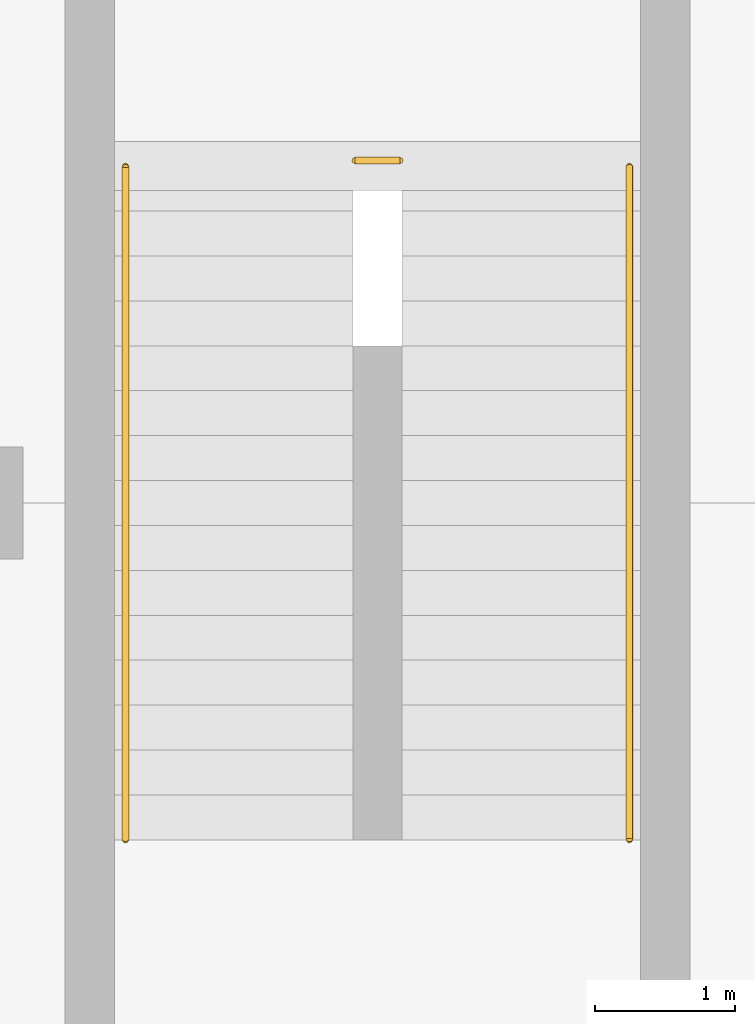
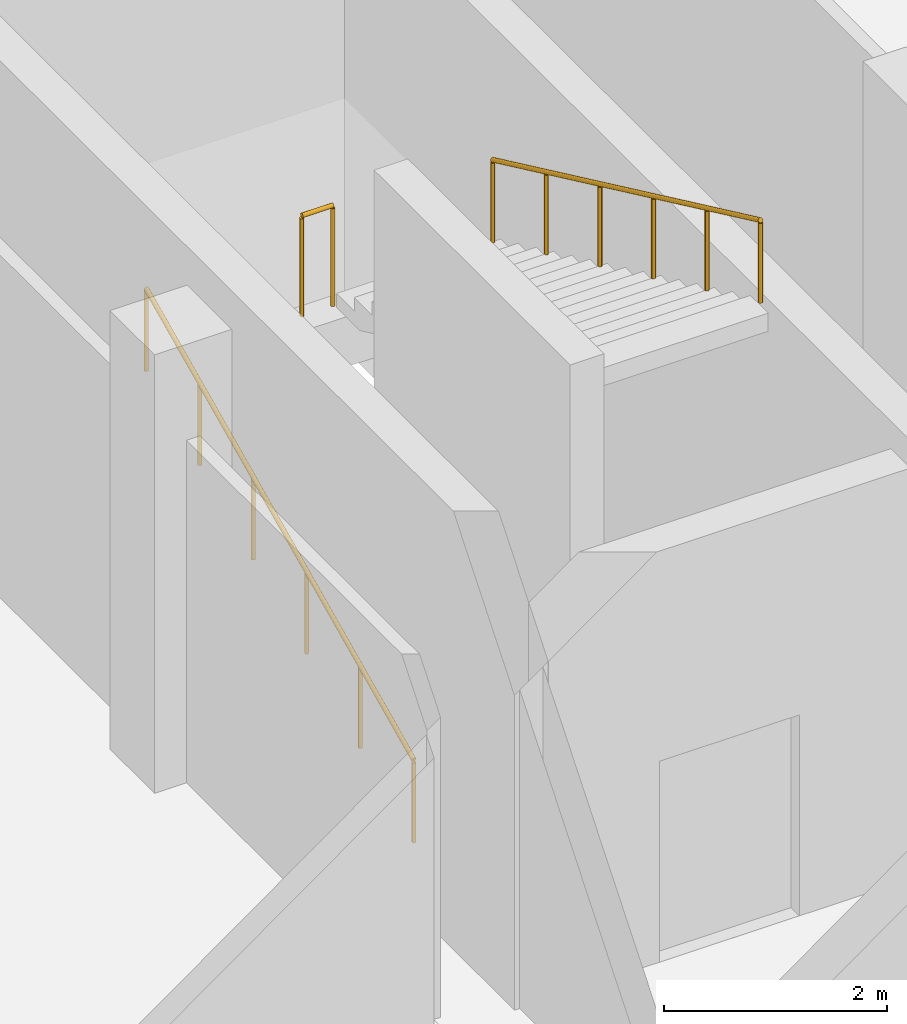
# One storey, part 56 of 62: 3 railings.
"""IFC4 building model written with IfcOpenShell, lengths in metres."""

import ifcopenshell
import ifcopenshell.guid

model = None  # the IFC model being written
_history = None  # IfcOwnerHistory: only IFC2X3 demands one
_inside = {}  # id of a spatial element -> (the spatial element, [elements in it])
_under = {}  # id of a project, library or spatial element -> (it, [spatial elements below it])
_declared = {}  # id of a project -> (the project, [libraries it declares])
_typed = {}  # id of a type object -> (the type object, [elements of that type])
_made_of = {}  # id of a material, layer set ... -> (it, [elements and type objects made of it])


def new_model(schema):
    """Start an empty IFC model of exactly this schema.

    Asked for "IFC4X3", IfcOpenShell would pick the latest addendum, in which some entities
    have other attributes; the version numbers below select the first issue.
    IFC2X3 requires an IfcOwnerHistory on every rooted entity: one is made here for all.
    """
    global model, _history
    if schema == "IFC4X3":
        model = ifcopenshell.file(schema_version=(4, 3, 0, 0))
    else:
        model = ifcopenshell.file(schema=schema)
    _inside.clear()
    _under.clear()
    _declared.clear()
    _typed.clear()
    _made_of.clear()
    _history = None
    if model.schema == "IFC2X3":
        org = make("IfcOrganization", Name="unknown")
        user = make(
            "IfcPersonAndOrganization",
            ThePerson=make("IfcPerson", FamilyName="unknown"),
            TheOrganization=org,
        )
        app = make(
            "IfcApplication",
            ApplicationDeveloper=org,
            Version="unknown",
            ApplicationFullName="unknown",
            ApplicationIdentifier="unknown",
        )
        _history = make(
            "IfcOwnerHistory",
            OwningUser=user,
            OwningApplication=app,
            ChangeAction="ADDED",
            CreationDate=0,
        )
    return model


def make(cls, **values):
    """One entity of the class cls with the attributes given. An attribute that is None is left unset."""
    return model.create_entity(
        cls, **{name: value for name, value in values.items() if value is not None}
    )


def rooted(cls, **values):
    """An entity with a GlobalId (a new one), such as an element, a storey or a relation."""
    return make(cls, GlobalId=ifcopenshell.guid.new(), OwnerHistory=_history, **values)


def si_unit(unit_type, name, prefix=None):
    """IfcSIUnit, for example si_unit("LENGTHUNIT", "METRE", prefix="MILLI")."""
    return make("IfcSIUnit", UnitType=unit_type, Prefix=prefix, Name=name)


def assignment(units):
    """IfcUnitAssignment: the units of a project."""
    return None if units is None else make("IfcUnitAssignment", Units=units)


def point(xyz):
    """IfcCartesianPoint."""
    return None if xyz is None else make("IfcCartesianPoint", Coordinates=xyz)


def direction(xyz):
    """IfcDirection."""
    return None if xyz is None else make("IfcDirection", DirectionRatios=xyz)


def frame(location, z_axis=None, x_axis=None):
    """IfcAxis2Placement3D, a coordinate frame: its origin and axes. An axis left out is left unset."""
    return make(
        "IfcAxis2Placement3D",
        Location=point(location),
        Axis=direction(z_axis),
        RefDirection=direction(x_axis),
    )


def frame_2d(location, x_axis=None):
    """IfcAxis2Placement2D, a coordinate frame in the plane: its origin and x axis."""
    return make(
        "IfcAxis2Placement2D", Location=point(location), RefDirection=direction(x_axis)
    )


def origin():
    """The frame at (0, 0, 0) with its axes left unset."""
    return frame((0.0, 0.0, 0.0))


def origin_2d():
    """The frame at (0, 0) in the plane with its x axis left unset."""
    return frame_2d((0.0, 0.0))


def place(relative_to, where):
    """IfcLocalPlacement: puts the frame where relative to a parent placement (None: the world)."""
    return make(
        "IfcLocalPlacement", PlacementRelTo=relative_to, RelativePlacement=where
    )


def context(
    kind, dimensions, precision=None, world=None, true_north=None, identifier=None
):
    """IfcGeometricRepresentationContext, for example the 3D "Model" context."""
    return make(
        "IfcGeometricRepresentationContext",
        ContextIdentifier=identifier,
        ContextType=kind,
        CoordinateSpaceDimension=dimensions,
        Precision=precision,
        WorldCoordinateSystem=world,
        TrueNorth=true_north,
    )


def subcontext(parent, identifier, kind, view, scale=None):
    """IfcGeometricRepresentationSubContext, for example "Body" below "Model"."""
    return make(
        "IfcGeometricRepresentationSubContext",
        ContextIdentifier=identifier,
        ContextType=kind,
        ParentContext=parent,
        TargetScale=scale,
        TargetView=view,
    )


def project(units=None, contexts=None):
    """IfcProject with its units and contexts."""
    return rooted(
        "IfcProject",
        Name="project",
        RepresentationContexts=contexts,
        UnitsInContext=assignment(units),
    )


def spatial(cls, under=None, at=None, **own):
    """A site, building, storey or space (cls), placed at a placement, below another one or the project."""
    s = rooted(cls, ObjectPlacement=at, **own)
    if under is not None:
        _under.setdefault(under.id(), (under, []))[1].append(s)
    return s


def profile(cls, at=None, kind="AREA", **sizes):
    """A parametric profile (cls). Its sizes go by their IFC names, for example OverallWidth=200.0."""
    return make(cls, ProfileType=kind, Position=at, **sizes)


def circle(**sizes):
    """IfcCircleProfileDef."""
    return profile("IfcCircleProfileDef", **sizes)


def extrude(swept, where, along, depth):
    """IfcExtrudedAreaSolid: the profile swept, set in the frame where, extruded along a direction by depth."""
    return make(
        "IfcExtrudedAreaSolid",
        SweptArea=swept,
        Position=where,
        ExtrudedDirection=direction(along),
        Depth=depth,
    )


def shape(context_of_items, identifier, shape_type, items):
    """IfcShapeRepresentation: the items that make up one representation, for example the "Body"."""
    return make(
        "IfcShapeRepresentation",
        ContextOfItems=context_of_items,
        RepresentationIdentifier=identifier,
        RepresentationType=shape_type,
        Items=items,
    )


def material(Name=None, Category=None):
    """IfcMaterial."""
    return make("IfcMaterial", Name=Name, Category=Category)


def made_of(thing, what):
    """Note that an element or type object is made of a material, layer set ...; save() writes the relation."""
    if what is not None:
        _made_of.setdefault(what.id(), (what, []))[1].append(thing)
    return thing


def type_object(cls, material=None, **own):
    """A type object (cls), such as IfcWallType, which elements share."""
    return made_of(rooted(cls, **own), material)


def element(
    cls,
    number,
    at=None,
    inside=None,
    cuts=None,
    type_object=None,
    material=None,
    context=None,
    identifier="Body",
    shape_type=None,
    held_by="IfcProductDefinitionShape",
    body=None,
    shapes=None,
    **own,
):
    """One element of the class cls, such as IfcWall. Its Tag is "e" and its number.

    at: its placement. inside: the storey or other place that contains it. cuts: it is an
    opening in that element (IfcRelVoidsElement). A single representation is given by context,
    identifier, shape_type and body (its items); several are given by shapes. held_by: the class
    of the entity that holds the representations. save() writes the other relations.
    """
    e = rooted(cls, Tag="e%d" % number, ObjectPlacement=at, **own)
    if body is not None:
        shapes = [shape(context, identifier, shape_type, body)]
    if shapes is not None:
        e.Representation = make(held_by, Representations=shapes)
    if inside is not None:
        _inside.setdefault(inside.id(), (inside, []))[1].append(e)
    if cuts is not None:
        rooted(
            "IfcRelVoidsElement", RelatingBuildingElement=cuts, RelatedOpeningElement=e
        )
    if type_object is not None:
        _typed.setdefault(type_object.id(), (type_object, []))[1].append(e)
    return made_of(e, material)


def aggregate(whole, parts):
    """IfcRelAggregates: a whole, such as a stair, and the parts it consists of."""
    return rooted("IfcRelAggregates", RelatingObject=whole, RelatedObjects=parts)


def save(model, path):
    """Write the relations noted so far, then the file.

    IfcRelAggregates (storeys below a building ...), IfcRelContainedInSpatialStructure (elements
    in a storey), IfcRelDefinesByType, IfcRelAssociatesMaterial and IfcRelDeclares: one each for
    every whole, place, type object, material and project.
    """
    for whole, parts in _under.values():
        aggregate(whole, parts)
    for where, things in _inside.values():
        rooted(
            "IfcRelContainedInSpatialStructure",
            RelatedElements=things,
            RelatingStructure=where,
        )
    for kind, things in _typed.values():
        rooted("IfcRelDefinesByType", RelatedObjects=things, RelatingType=kind)
    for what, things in _made_of.values():
        rooted("IfcRelAssociatesMaterial", RelatedObjects=things, RelatingMaterial=what)
    for by, libraries in _declared.values():
        rooted("IfcRelDeclares", RelatingContext=by, RelatedDefinitions=libraries)
    model.write(path)


model = new_model("IFC4")

# Units and contexts
model_context = context("Model", 3, precision=1e-05, world=origin(), true_north=direction((0.0, 1.0)))
body_context = subcontext(model_context, "Body", "Model", "MODEL_VIEW")
ifc_project = project(units=[si_unit("LENGTHUNIT", "METRE"), si_unit("AREAUNIT", "SQUARE_METRE"), si_unit("VOLUMEUNIT", "CUBIC_METRE"), si_unit("PLANEANGLEUNIT", "RADIAN"), si_unit("MASSUNIT", "GRAM", prefix="KILO"), si_unit("THERMODYNAMICTEMPERATUREUNIT", "KELVIN"), si_unit("POWERUNIT", "WATT")], contexts=[model_context])

# Site, building, storey
site_placement = place(None, origin())
site = spatial("IfcSite", under=ifc_project, at=site_placement, CompositionType="ELEMENT")
building_placement = place(site_placement, origin())
building = spatial("IfcBuilding", under=site, at=building_placement, Name="Srebrne Nadtorze General Hospital", CompositionType="ELEMENT")
storey_placement = place(building_placement, frame((0.0, 0.0, 9.60009765625)))
storey = spatial("IfcBuildingStorey", under=building, at=storey_placement, Name="L02", CompositionType="ELEMENT", Elevation=9.60009765625)

# Railings
ifc_material_1 = material(Name="Stainless Steel 316", Category="steel")
railing_type_1 = type_object("IfcRailingType", Name="Stairwell safety guard 1120", PredefinedType="BALUSTRADE", material=ifc_material_1)
railing_1_placement = place(storey_placement, frame((104.1650390625, 61.239990234375, 2.39990234375)))
element("IfcRailing", 1, at=railing_1_placement, inside=storey, type_object=railing_type_1, Name="Half landing well guard ST-03-L02", PredefinedType="BALUSTRADE", context=body_context, shape_type="SweptSolid", body=[
    extrude(circle(Radius=0.02392578125, at=origin_2d()), frame((0.0, 0.0, 1.09619140625), z_axis=(1.0, 0.0, 0.0), x_axis=(0.0, 1.0, 0.0)), (0.0, 0.0, 1.0), 0.320068359375),
    extrude(circle(Radius=0.02099609375, at=origin_2d()), origin(), (0.0, 0.0, 1.0), 1.072021484375),
    extrude(circle(Radius=0.02099609375, at=origin_2d()), frame((0.320068359375, 0.0, 0.0)), (0.0, 0.0, 1.0), 1.072021484375),
])
ifc_material_2 = material(Name="Stainless Steel 316", Category="steel")
railing_type_2 = type_object("IfcRailingType", Name="Tubular stainless handrail 920", PredefinedType="HANDRAIL", material=ifc_material_2)
railing_2_placement = place(storey_placement, frame((102.530029296875, 56.39990234375, 0.14990234375)))
element("IfcRailing", 2, at=railing_2_placement, inside=storey, type_object=railing_type_2, Name="Stair flight handrail ST-03-L02 F1", PredefinedType="HANDRAIL", context=body_context, shape_type="SweptSolid", body=[
    extrude(circle(Radius=0.02392578125, at=origin_2d()), frame((0.0, 0.0, 0.89599609375), z_axis=(0.0, 0.90546059521, 0.424430336476), x_axis=(-1.0, 0.0, 0.0)), (0.0, 0.0, 1.0), 5.30126953125),
    extrude(circle(Radius=0.02099609375, at=origin_2d()), origin(), (0.0, 0.0, 1.0), 0.871826171875),
    extrude(circle(Radius=0.02099609375, at=origin_2d()), frame((0.0, 0.9599609375, 0.449951171875)), (0.0, 0.0, 1.0), 0.871826171875),
    extrude(circle(Radius=0.02099609375, at=origin_2d()), frame((0.0, 1.919921875, 0.89990234375)), (0.0, 0.0, 1.0), 0.871826171875),
    extrude(circle(Radius=0.02099609375, at=origin_2d()), frame((0.0, 2.880126953125, 1.35009765625)), (0.0, 0.0, 1.0), 0.871826171875),
    extrude(circle(Radius=0.02099609375, at=origin_2d()), frame((0.0, 3.840087890625, 1.800048828125)), (0.0, 0.0, 1.0), 0.871826171875),
    extrude(circle(Radius=0.02099609375, at=origin_2d()), frame((0.0, 4.800048828125, 2.25)), (0.0, 0.0, 1.0), 0.871826171875),
])
railing_3_placement = place(storey_placement, frame((106.1201171875, 61.199951171875, 2.5498046875)))
element("IfcRailing", 3, at=railing_3_placement, inside=storey, type_object=railing_type_2, Name="Stair flight handrail ST-03-L02 F2", PredefinedType="HANDRAIL", context=body_context, shape_type="SweptSolid", body=[
    extrude(circle(Radius=0.02392578125, at=origin_2d()), frame((0.0, 0.0, 0.89599609375), z_axis=(0.0, -0.90546059521, 0.424430336476), x_axis=(1.0, 0.0, 0.0)), (0.0, 0.0, 1.0), 5.30126953125),
    extrude(circle(Radius=0.02099609375, at=origin_2d()), origin(), (0.0, 0.0, 1.0), 0.871826171875),
    extrude(circle(Radius=0.02099609375, at=origin_2d()), frame((0.0, -0.9599609375, 0.449951171875)), (0.0, 0.0, 1.0), 0.871826171875),
    extrude(circle(Radius=0.02099609375, at=origin_2d()), frame((0.0, -1.919921875, 0.89990234375)), (0.0, 0.0, 1.0), 0.871826171875),
    extrude(circle(Radius=0.02099609375, at=origin_2d()), frame((0.0, -2.880126953125, 1.35009765625)), (0.0, 0.0, 1.0), 0.871826171875),
    extrude(circle(Radius=0.02099609375, at=origin_2d()), frame((0.0, -3.840087890625, 1.800048828125)), (0.0, 0.0, 1.0), 0.871826171875),
    extrude(circle(Radius=0.02099609375, at=origin_2d()), frame((0.0, -4.800048828125, 2.25)), (0.0, 0.0, 1.0), 0.871826171875),
])

save(model, "model.ifc")
